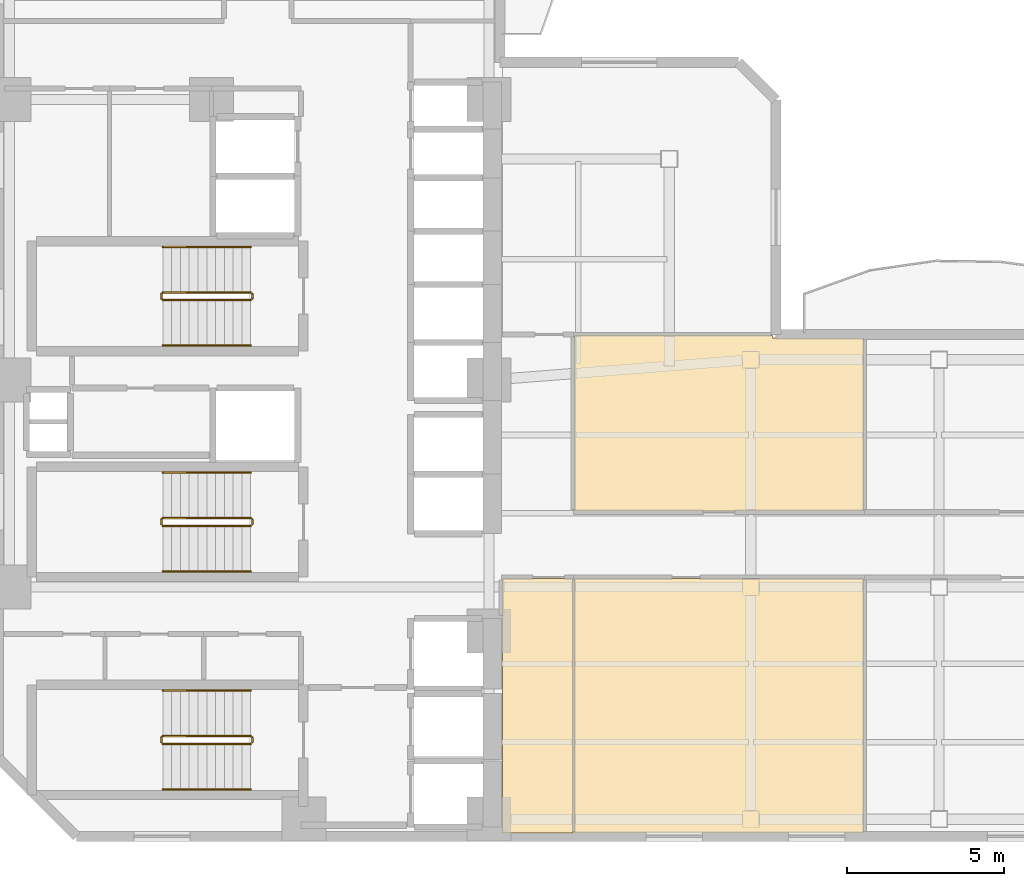
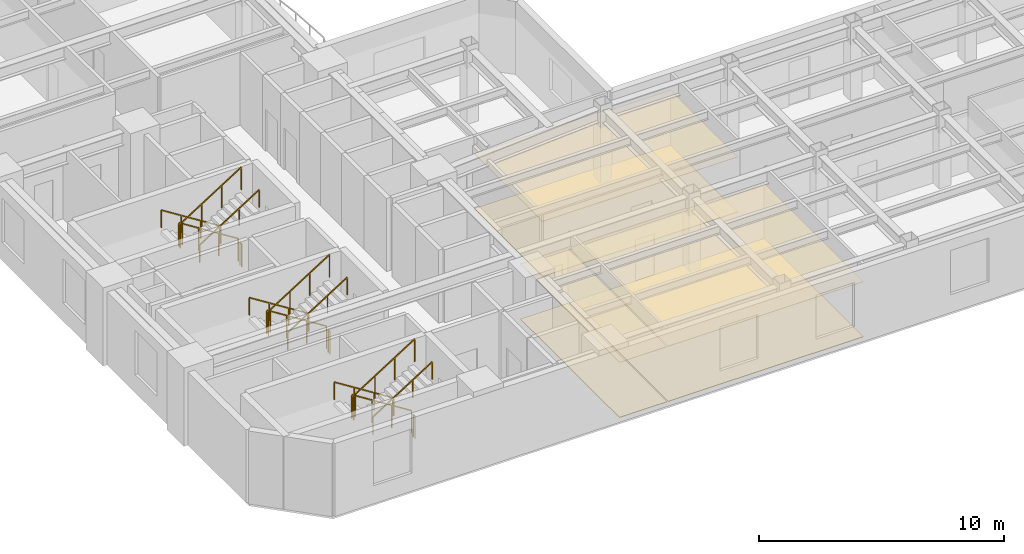
# One storey, part 8 of 10: 18 railings, 6 coverings.
"""IFC4 building model written with IfcOpenShell, lengths in metres."""

from ifc_helpers import new_model, si_unit, direction, frame, origin, origin_2d, place, context, subcontext, project, spatial, polyline, rectangle, outline, extrude, material, layer, layer_set, type_object, element, save


model = new_model("IFC4")

# Units and contexts
model_context = context("Model", 3, precision=1e-05, world=origin(), true_north=direction((0.0, 1.0)))
body_context = subcontext(model_context, "Body", "Model", "MODEL_VIEW")
ifc_project = project(units=[si_unit("LENGTHUNIT", "METRE"), si_unit("AREAUNIT", "SQUARE_METRE"), si_unit("VOLUMEUNIT", "CUBIC_METRE"), si_unit("PLANEANGLEUNIT", "RADIAN"), si_unit("MASSUNIT", "GRAM", prefix="KILO")], contexts=[model_context])

# Site, building, storey
site_placement = place(None, origin())
site = spatial("IfcSite", under=ifc_project, at=site_placement, CompositionType="ELEMENT")
building_placement = place(site_placement, origin())
building = spatial("IfcBuilding", under=site, at=building_placement, Name="Mawjaban Terraces University", CompositionType="ELEMENT")
storey_placement = place(building_placement, frame((0.0, 0.0, 89.5)))
storey = spatial("IfcBuildingStorey", under=building, at=storey_placement, Name="L21", CompositionType="ELEMENT", Elevation=89.5)

# Coverings
ifc_material_1 = material(Name="Acoustic mineral fibre ceiling tile", Category="masonry")
ifc_layer_1 = layer(ifc_material_1, 0.02001953125)
ifc_layer_set_1 = layer_set([ifc_layer_1], Name="Acoustic mineral fibre ceiling tile")
covering_type_1 = type_object("IfcCoveringType", Name="AcousticMineralCeiling_20", PredefinedType="CEILING", material=ifc_layer_set_1)
covering_1_placement = place(storey_placement, frame((0.0, 0.0, 2.75)))
element("IfcCovering", 1, at=covering_1_placement, inside=storey, type_object=covering_type_1, Name="L21 Tutorial Room 1 Acoustic Ceiling", PredefinedType="CEILING", context=body_context, shape_type="SweptSolid", body=[
    extrude(outline(polyline([(38.080078125, 0.114990234375), (40.320068359375, 0.114990234375), (40.320068359375, 8.219970703125), (38.080078125, 8.219970703125), (38.080078125, 0.114990234375)])), origin(), (0.0, 0.0, 1.0), 0.02001953125),
])
covering_2_placement = place(storey_placement, frame((0.0, 0.0, 2.75)))
element("IfcCovering", 2, at=covering_2_placement, inside=storey, type_object=covering_type_1, Name="L21 Conference Room 2 Acoustic Ceiling", PredefinedType="CEILING", context=body_context, shape_type="SweptSolid", body=[
    extrude(outline(polyline([(40.3798828125, 0.114990234375), (49.589111328125, 0.114990234375), (49.589111328125, 8.219970703125), (40.3798828125, 8.219970703125), (40.3798828125, 0.114990234375)])), origin(), (0.0, 0.0, 1.0), 0.02001953125),
])
covering_3_placement = place(storey_placement, frame((0.0, 0.0, 2.75)))
element("IfcCovering", 3, at=covering_3_placement, inside=storey, type_object=covering_type_1, Name="L21 Classroom 3 Acoustic Ceiling", PredefinedType="CEILING", context=body_context, shape_type="SweptSolid", body=[
    extrude(outline(polyline([(49.589111328125, 15.885009765625), (46.68505859375, 15.885009765625), (46.68505859375, 15.969970703125), (40.3798828125, 15.969970703125), (40.3798828125, 10.3798828125), (49.589111328125, 10.3798828125), (49.589111328125, 15.885009765625)])), origin(), (0.0, 0.0, 1.0), 0.02001953125),
])

# Railings
ifc_material_2 = material(Name="Brushed stainless steel 316", Category="steel")
railing_type_1 = type_object("IfcRailingType", Name="StairWallHandrail_900", PredefinedType="HANDRAIL", material=ifc_material_2)
railing_1_placement = place(storey_placement, frame((30.050048828125, 4.64990234375, 0.17724609375)))
element("IfcRailing", 4, at=railing_1_placement, inside=storey, type_object=railing_type_1, Name="L21 ST-1 stair handrail 1", PredefinedType="HANDRAIL", context=body_context, shape_type="SweptSolid", body=[
    extrude(rectangle(XDim=0.048095703125, YDim=0.048095703125, at=origin_2d()), frame((0.0, 0.0, 0.8759765625), z_axis=(-0.844908973607, 0.0, 0.534910110503), x_axis=(0.0, -1.0, 0.0)), (0.0, 0.0, 1.0), 3.31396484375),
    extrude(rectangle(XDim=0.0419921875, YDim=0.0419921875, at=origin_2d()), origin(), (0.0, 0.0, 1.0), 0.851806640625),
    extrude(rectangle(XDim=0.0419921875, YDim=0.0419921875, at=origin_2d()), frame((-0.933349609375, 0.0, 0.5908203125)), (0.0, 0.0, 1.0), 0.851806640625),
    extrude(rectangle(XDim=0.0419921875, YDim=0.0419921875, at=origin_2d()), frame((-1.86669921875, 0.0, 1.181884765625)), (0.0, 0.0, 1.0), 0.851806640625),
    extrude(rectangle(XDim=0.0419921875, YDim=0.0419921875, at=origin_2d()), frame((-2.800048828125, 0.0, 1.772705078125)), (0.0, 0.0, 1.0), 0.851806640625),
])
railing_2_placement = place(storey_placement, frame((27.25, 1.5, 2.127197265625)))
element("IfcRailing", 5, at=railing_2_placement, inside=storey, type_object=railing_type_1, Name="L21 ST-1 stair handrail 2", PredefinedType="HANDRAIL", context=body_context, shape_type="SweptSolid", body=[
    extrude(rectangle(XDim=0.048095703125, YDim=0.048095703125, at=origin_2d()), frame((0.0, 0.0, 0.8759765625), z_axis=(0.844908973607, 0.0, 0.534910110503), x_axis=(0.0, 1.0, 0.0)), (0.0, 0.0, 1.0), 3.31396484375),
    extrude(rectangle(XDim=0.0419921875, YDim=0.0419921875, at=origin_2d()), origin(), (0.0, 0.0, 1.0), 0.851806640625),
    extrude(rectangle(XDim=0.0419921875, YDim=0.0419921875, at=origin_2d()), frame((0.933349609375, 0.0, 0.5908203125)), (0.0, 0.0, 1.0), 0.851806640625),
    extrude(rectangle(XDim=0.0419921875, YDim=0.0419921875, at=origin_2d()), frame((1.86669921875, 0.0, 1.181884765625)), (0.0, 0.0, 1.0), 0.851806640625),
    extrude(rectangle(XDim=0.0419921875, YDim=0.0419921875, at=origin_2d()), frame((2.800048828125, 0.0, 1.772705078125)), (0.0, 0.0, 1.0), 0.851806640625),
])
railing_3_placement = place(storey_placement, frame((30.050048828125, 18.800048828125, 0.17724609375)))
element("IfcRailing", 6, at=railing_3_placement, inside=storey, type_object=railing_type_1, Name="L21 ST-2 stair handrail 1", PredefinedType="HANDRAIL", context=body_context, shape_type="SweptSolid", body=[
    extrude(rectangle(XDim=0.048095703125, YDim=0.048095703125, at=origin_2d()), frame((0.0, 0.0, 0.8759765625), z_axis=(-0.844908973607, 0.0, 0.534910110503), x_axis=(0.0, -1.0, 0.0)), (0.0, 0.0, 1.0), 3.31396484375),
    extrude(rectangle(XDim=0.0419921875, YDim=0.0419921875, at=origin_2d()), origin(), (0.0, 0.0, 1.0), 0.851806640625),
    extrude(rectangle(XDim=0.0419921875, YDim=0.0419921875, at=origin_2d()), frame((-0.933349609375, 0.0, 0.5908203125)), (0.0, 0.0, 1.0), 0.851806640625),
    extrude(rectangle(XDim=0.0419921875, YDim=0.0419921875, at=origin_2d()), frame((-1.86669921875, 0.0, 1.181884765625)), (0.0, 0.0, 1.0), 0.851806640625),
    extrude(rectangle(XDim=0.0419921875, YDim=0.0419921875, at=origin_2d()), frame((-2.800048828125, 0.0, 1.772705078125)), (0.0, 0.0, 1.0), 0.851806640625),
])
railing_4_placement = place(storey_placement, frame((27.25, 15.64990234375, 2.127197265625)))
element("IfcRailing", 7, at=railing_4_placement, inside=storey, type_object=railing_type_1, Name="L21 ST-2 stair handrail 2", PredefinedType="HANDRAIL", context=body_context, shape_type="SweptSolid", body=[
    extrude(rectangle(XDim=0.048095703125, YDim=0.048095703125, at=origin_2d()), frame((0.0, 0.0, 0.8759765625), z_axis=(0.844908973607, 0.0, 0.534910110503), x_axis=(0.0, 1.0, 0.0)), (0.0, 0.0, 1.0), 3.31396484375),
    extrude(rectangle(XDim=0.0419921875, YDim=0.0419921875, at=origin_2d()), origin(), (0.0, 0.0, 1.0), 0.851806640625),
    extrude(rectangle(XDim=0.0419921875, YDim=0.0419921875, at=origin_2d()), frame((0.933349609375, 0.0, 0.5908203125)), (0.0, 0.0, 1.0), 0.851806640625),
    extrude(rectangle(XDim=0.0419921875, YDim=0.0419921875, at=origin_2d()), frame((1.86669921875, 0.0, 1.181884765625)), (0.0, 0.0, 1.0), 0.851806640625),
    extrude(rectangle(XDim=0.0419921875, YDim=0.0419921875, at=origin_2d()), frame((2.800048828125, 0.0, 1.772705078125)), (0.0, 0.0, 1.0), 0.851806640625),
])
railing_5_placement = place(storey_placement, frame((30.050048828125, 11.60009765625, 0.17724609375)))
element("IfcRailing", 8, at=railing_5_placement, inside=storey, type_object=railing_type_1, Name="L21 ST-3 stair handrail 1", PredefinedType="HANDRAIL", context=body_context, shape_type="SweptSolid", body=[
    extrude(rectangle(XDim=0.048095703125, YDim=0.048095703125, at=origin_2d()), frame((0.0, 0.0, 0.8759765625), z_axis=(-0.844908973607, 0.0, 0.534910110503), x_axis=(0.0, -1.0, 0.0)), (0.0, 0.0, 1.0), 3.31396484375),
    extrude(rectangle(XDim=0.0419921875, YDim=0.0419921875, at=origin_2d()), origin(), (0.0, 0.0, 1.0), 0.851806640625),
    extrude(rectangle(XDim=0.0419921875, YDim=0.0419921875, at=origin_2d()), frame((-0.933349609375, 0.0, 0.5908203125)), (0.0, 0.0, 1.0), 0.851806640625),
    extrude(rectangle(XDim=0.0419921875, YDim=0.0419921875, at=origin_2d()), frame((-1.86669921875, 0.0, 1.181884765625)), (0.0, 0.0, 1.0), 0.851806640625),
    extrude(rectangle(XDim=0.0419921875, YDim=0.0419921875, at=origin_2d()), frame((-2.800048828125, 0.0, 1.772705078125)), (0.0, 0.0, 1.0), 0.851806640625),
])
railing_6_placement = place(storey_placement, frame((27.25, 8.449951171875, 2.127197265625)))
element("IfcRailing", 9, at=railing_6_placement, inside=storey, type_object=railing_type_1, Name="L21 ST-3 stair handrail 2", PredefinedType="HANDRAIL", context=body_context, shape_type="SweptSolid", body=[
    extrude(rectangle(XDim=0.048095703125, YDim=0.048095703125, at=origin_2d()), frame((0.0, 0.0, 0.8759765625), z_axis=(0.844908973607, 0.0, 0.534910110503), x_axis=(0.0, 1.0, 0.0)), (0.0, 0.0, 1.0), 3.31396484375),
    extrude(rectangle(XDim=0.0419921875, YDim=0.0419921875, at=origin_2d()), origin(), (0.0, 0.0, 1.0), 0.851806640625),
    extrude(rectangle(XDim=0.0419921875, YDim=0.0419921875, at=origin_2d()), frame((0.933349609375, 0.0, 0.5908203125)), (0.0, 0.0, 1.0), 0.851806640625),
    extrude(rectangle(XDim=0.0419921875, YDim=0.0419921875, at=origin_2d()), frame((1.86669921875, 0.0, 1.181884765625)), (0.0, 0.0, 1.0), 0.851806640625),
    extrude(rectangle(XDim=0.0419921875, YDim=0.0419921875, at=origin_2d()), frame((2.800048828125, 0.0, 1.772705078125)), (0.0, 0.0, 1.0), 0.851806640625),
])
ifc_material_3 = material(Name="Galvanised painted steel S355", Category="steel")
railing_type_2 = type_object("IfcRailingType", Name="StairWellGuard_1150", PredefinedType="BALUSTRADE", material=ifc_material_3)
railing_7_placement = place(storey_placement, frame((30.050048828125, 3.199951171875, 0.17724609375)))
element("IfcRailing", 10, at=railing_7_placement, inside=storey, type_object=railing_type_2, Name="L21 ST-1 stair guard 1", PredefinedType="BALUSTRADE", context=body_context, shape_type="SweptSolid", body=[
    extrude(rectangle(XDim=0.048095703125, YDim=0.048095703125, at=origin_2d()), frame((0.0, 0.0, 1.1259765625), z_axis=(-0.844908973607, 0.0, 0.534910110503), x_axis=(0.0, -1.0, 0.0)), (0.0, 0.0, 1.0), 3.31396484375),
    extrude(rectangle(XDim=0.0419921875, YDim=0.0419921875, at=origin_2d()), origin(), (0.0, 0.0, 1.0), 1.101806640625),
    extrude(rectangle(XDim=0.0419921875, YDim=0.0419921875, at=origin_2d()), frame((-0.933349609375, 0.0, 0.5908203125)), (0.0, 0.0, 1.0), 1.101806640625),
    extrude(rectangle(XDim=0.0419921875, YDim=0.0419921875, at=origin_2d()), frame((-1.86669921875, 0.0, 1.181884765625)), (0.0, 0.0, 1.0), 1.101806640625),
    extrude(rectangle(XDim=0.0419921875, YDim=0.0419921875, at=origin_2d()), frame((-2.800048828125, 0.0, 1.772705078125)), (0.0, 0.0, 1.0), 1.101806640625),
])
railing_8_placement = place(storey_placement, frame((27.199951171875, 3.14990234375, 1.949951171875)))
element("IfcRailing", 11, at=railing_8_placement, inside=storey, type_object=railing_type_2, Name="L21 ST-1 stair guard 2", PredefinedType="BALUSTRADE", context=body_context, shape_type="SweptSolid", body=[
    extrude(rectangle(XDim=0.048095703125, YDim=0.048095703125, at=origin_2d()), frame((0.0, 0.0, 1.1259765625), z_axis=(0.0, -1.0, 0.0), x_axis=(1.0, 0.0, 0.0)), (0.0, 0.0, 1.0), 0.14990234375),
    extrude(rectangle(XDim=0.0419921875, YDim=0.0419921875, at=origin_2d()), origin(), (0.0, 0.0, 1.0), 1.101806640625),
    extrude(rectangle(XDim=0.0419921875, YDim=0.0419921875, at=origin_2d()), frame((0.0, -0.14990234375, 0.0)), (0.0, 0.0, 1.0), 1.101806640625),
])
railing_9_placement = place(storey_placement, frame((27.25, 2.949951171875, 2.127197265625)))
element("IfcRailing", 12, at=railing_9_placement, inside=storey, type_object=railing_type_2, Name="L21 ST-1 stair guard 3", PredefinedType="BALUSTRADE", context=body_context, shape_type="SweptSolid", body=[
    extrude(rectangle(XDim=0.048095703125, YDim=0.048095703125, at=origin_2d()), frame((0.0, 0.0, 1.1259765625), z_axis=(0.844908973607, 0.0, 0.534910110503), x_axis=(0.0, 1.0, 0.0)), (0.0, 0.0, 1.0), 3.31396484375),
    extrude(rectangle(XDim=0.0419921875, YDim=0.0419921875, at=origin_2d()), origin(), (0.0, 0.0, 1.0), 1.101806640625),
    extrude(rectangle(XDim=0.0419921875, YDim=0.0419921875, at=origin_2d()), frame((0.933349609375, 0.0, 0.5908203125)), (0.0, 0.0, 1.0), 1.101806640625),
    extrude(rectangle(XDim=0.0419921875, YDim=0.0419921875, at=origin_2d()), frame((1.86669921875, 0.0, 1.181884765625)), (0.0, 0.0, 1.0), 1.101806640625),
    extrude(rectangle(XDim=0.0419921875, YDim=0.0419921875, at=origin_2d()), frame((2.800048828125, 0.0, 1.772705078125)), (0.0, 0.0, 1.0), 1.101806640625),
])
railing_10_placement = place(storey_placement, frame((30.10009765625, 3.14990234375, 0.0)))
element("IfcRailing", 13, at=railing_10_placement, inside=storey, type_object=railing_type_2, Name="L21 ST-1 stair guard 4", PredefinedType="BALUSTRADE", context=body_context, shape_type="SweptSolid", body=[
    extrude(rectangle(XDim=0.048095703125, YDim=0.048095703125, at=origin_2d()), frame((0.0, 0.0, 1.1259765625), z_axis=(0.0, -1.0, 0.0), x_axis=(1.0, 0.0, 0.0)), (0.0, 0.0, 1.0), 0.14990234375),
    extrude(rectangle(XDim=0.0419921875, YDim=0.0419921875, at=origin_2d()), origin(), (0.0, 0.0, 1.0), 1.101806640625),
    extrude(rectangle(XDim=0.0419921875, YDim=0.0419921875, at=origin_2d()), frame((0.0, -0.14990234375, 0.0)), (0.0, 0.0, 1.0), 1.101806640625),
])
railing_11_placement = place(storey_placement, frame((30.050048828125, 17.35009765625, 0.17724609375)))
element("IfcRailing", 14, at=railing_11_placement, inside=storey, type_object=railing_type_2, Name="L21 ST-2 stair guard 1", PredefinedType="BALUSTRADE", context=body_context, shape_type="SweptSolid", body=[
    extrude(rectangle(XDim=0.048095703125, YDim=0.048095703125, at=origin_2d()), frame((0.0, 0.0, 1.1259765625), z_axis=(-0.844908973607, 0.0, 0.534910110503), x_axis=(0.0, -1.0, 0.0)), (0.0, 0.0, 1.0), 3.31396484375),
    extrude(rectangle(XDim=0.0419921875, YDim=0.0419921875, at=origin_2d()), origin(), (0.0, 0.0, 1.0), 1.101806640625),
    extrude(rectangle(XDim=0.0419921875, YDim=0.0419921875, at=origin_2d()), frame((-0.933349609375, 0.0, 0.5908203125)), (0.0, 0.0, 1.0), 1.101806640625),
    extrude(rectangle(XDim=0.0419921875, YDim=0.0419921875, at=origin_2d()), frame((-1.86669921875, 0.0, 1.181884765625)), (0.0, 0.0, 1.0), 1.101806640625),
    extrude(rectangle(XDim=0.0419921875, YDim=0.0419921875, at=origin_2d()), frame((-2.800048828125, 0.0, 1.772705078125)), (0.0, 0.0, 1.0), 1.101806640625),
])
railing_12_placement = place(storey_placement, frame((27.199951171875, 17.300048828125, 1.949951171875)))
element("IfcRailing", 15, at=railing_12_placement, inside=storey, type_object=railing_type_2, Name="L21 ST-2 stair guard 2", PredefinedType="BALUSTRADE", context=body_context, shape_type="SweptSolid", body=[
    extrude(rectangle(XDim=0.048095703125, YDim=0.048095703125, at=origin_2d()), frame((0.0, 0.0, 1.1259765625), z_axis=(0.0, -1.0, 0.0), x_axis=(1.0, 0.0, 0.0)), (0.0, 0.0, 1.0), 0.150146484375),
    extrude(rectangle(XDim=0.0419921875, YDim=0.0419921875, at=origin_2d()), origin(), (0.0, 0.0, 1.0), 1.101806640625),
    extrude(rectangle(XDim=0.0419921875, YDim=0.0419921875, at=origin_2d()), frame((0.0, -0.150146484375, 0.0)), (0.0, 0.0, 1.0), 1.101806640625),
])
railing_13_placement = place(storey_placement, frame((27.25, 17.10009765625, 2.127197265625)))
element("IfcRailing", 16, at=railing_13_placement, inside=storey, type_object=railing_type_2, Name="L21 ST-2 stair guard 3", PredefinedType="BALUSTRADE", context=body_context, shape_type="SweptSolid", body=[
    extrude(rectangle(XDim=0.048095703125, YDim=0.048095703125, at=origin_2d()), frame((0.0, 0.0, 1.1259765625), z_axis=(0.844908973607, 0.0, 0.534910110503), x_axis=(0.0, 1.0, 0.0)), (0.0, 0.0, 1.0), 3.31396484375),
    extrude(rectangle(XDim=0.0419921875, YDim=0.0419921875, at=origin_2d()), origin(), (0.0, 0.0, 1.0), 1.101806640625),
    extrude(rectangle(XDim=0.0419921875, YDim=0.0419921875, at=origin_2d()), frame((0.933349609375, 0.0, 0.5908203125)), (0.0, 0.0, 1.0), 1.101806640625),
    extrude(rectangle(XDim=0.0419921875, YDim=0.0419921875, at=origin_2d()), frame((1.86669921875, 0.0, 1.181884765625)), (0.0, 0.0, 1.0), 1.101806640625),
    extrude(rectangle(XDim=0.0419921875, YDim=0.0419921875, at=origin_2d()), frame((2.800048828125, 0.0, 1.772705078125)), (0.0, 0.0, 1.0), 1.101806640625),
])
railing_14_placement = place(storey_placement, frame((30.10009765625, 17.300048828125, 0.0)))
element("IfcRailing", 17, at=railing_14_placement, inside=storey, type_object=railing_type_2, Name="L21 ST-2 stair guard 4", PredefinedType="BALUSTRADE", context=body_context, shape_type="SweptSolid", body=[
    extrude(rectangle(XDim=0.048095703125, YDim=0.048095703125, at=origin_2d()), frame((0.0, 0.0, 1.1259765625), z_axis=(0.0, -1.0, 0.0), x_axis=(1.0, 0.0, 0.0)), (0.0, 0.0, 1.0), 0.150146484375),
    extrude(rectangle(XDim=0.0419921875, YDim=0.0419921875, at=origin_2d()), origin(), (0.0, 0.0, 1.0), 1.101806640625),
    extrude(rectangle(XDim=0.0419921875, YDim=0.0419921875, at=origin_2d()), frame((0.0, -0.150146484375, 0.0)), (0.0, 0.0, 1.0), 1.101806640625),
])
railing_15_placement = place(storey_placement, frame((30.050048828125, 10.14990234375, 0.17724609375)))
element("IfcRailing", 18, at=railing_15_placement, inside=storey, type_object=railing_type_2, Name="L21 ST-3 stair guard 1", PredefinedType="BALUSTRADE", context=body_context, shape_type="SweptSolid", body=[
    extrude(rectangle(XDim=0.048095703125, YDim=0.048095703125, at=origin_2d()), frame((0.0, 0.0, 1.1259765625), z_axis=(-0.844908973607, 0.0, 0.534910110503), x_axis=(0.0, -1.0, 0.0)), (0.0, 0.0, 1.0), 3.31396484375),
    extrude(rectangle(XDim=0.0419921875, YDim=0.0419921875, at=origin_2d()), origin(), (0.0, 0.0, 1.0), 1.101806640625),
    extrude(rectangle(XDim=0.0419921875, YDim=0.0419921875, at=origin_2d()), frame((-0.933349609375, 0.0, 0.5908203125)), (0.0, 0.0, 1.0), 1.101806640625),
    extrude(rectangle(XDim=0.0419921875, YDim=0.0419921875, at=origin_2d()), frame((-1.86669921875, 0.0, 1.181884765625)), (0.0, 0.0, 1.0), 1.101806640625),
    extrude(rectangle(XDim=0.0419921875, YDim=0.0419921875, at=origin_2d()), frame((-2.800048828125, 0.0, 1.772705078125)), (0.0, 0.0, 1.0), 1.101806640625),
])
railing_16_placement = place(storey_placement, frame((27.199951171875, 10.10009765625, 1.949951171875)))
element("IfcRailing", 19, at=railing_16_placement, inside=storey, type_object=railing_type_2, Name="L21 ST-3 stair guard 2", PredefinedType="BALUSTRADE", context=body_context, shape_type="SweptSolid", body=[
    extrude(rectangle(XDim=0.048095703125, YDim=0.048095703125, at=origin_2d()), frame((0.0, 0.0, 1.1259765625), z_axis=(0.0, -1.0, 0.0), x_axis=(1.0, 0.0, 0.0)), (0.0, 0.0, 1.0), 0.150146484375),
    extrude(rectangle(XDim=0.0419921875, YDim=0.0419921875, at=origin_2d()), origin(), (0.0, 0.0, 1.0), 1.101806640625),
    extrude(rectangle(XDim=0.0419921875, YDim=0.0419921875, at=origin_2d()), frame((0.0, -0.150146484375, 0.0)), (0.0, 0.0, 1.0), 1.101806640625),
])
railing_17_placement = place(storey_placement, frame((27.25, 9.89990234375, 2.127197265625)))
element("IfcRailing", 20, at=railing_17_placement, inside=storey, type_object=railing_type_2, Name="L21 ST-3 stair guard 3", PredefinedType="BALUSTRADE", context=body_context, shape_type="SweptSolid", body=[
    extrude(rectangle(XDim=0.048095703125, YDim=0.048095703125, at=origin_2d()), frame((0.0, 0.0, 1.1259765625), z_axis=(0.844908973607, 0.0, 0.534910110503), x_axis=(0.0, 1.0, 0.0)), (0.0, 0.0, 1.0), 3.31396484375),
    extrude(rectangle(XDim=0.0419921875, YDim=0.0419921875, at=origin_2d()), origin(), (0.0, 0.0, 1.0), 1.101806640625),
    extrude(rectangle(XDim=0.0419921875, YDim=0.0419921875, at=origin_2d()), frame((0.933349609375, 0.0, 0.5908203125)), (0.0, 0.0, 1.0), 1.101806640625),
    extrude(rectangle(XDim=0.0419921875, YDim=0.0419921875, at=origin_2d()), frame((1.86669921875, 0.0, 1.181884765625)), (0.0, 0.0, 1.0), 1.101806640625),
    extrude(rectangle(XDim=0.0419921875, YDim=0.0419921875, at=origin_2d()), frame((2.800048828125, 0.0, 1.772705078125)), (0.0, 0.0, 1.0), 1.101806640625),
])
railing_18_placement = place(storey_placement, frame((30.10009765625, 10.10009765625, 0.0)))
element("IfcRailing", 21, at=railing_18_placement, inside=storey, type_object=railing_type_2, Name="L21 ST-3 stair guard 4", PredefinedType="BALUSTRADE", context=body_context, shape_type="SweptSolid", body=[
    extrude(rectangle(XDim=0.048095703125, YDim=0.048095703125, at=origin_2d()), frame((0.0, 0.0, 1.1259765625), z_axis=(0.0, -1.0, 0.0), x_axis=(1.0, 0.0, 0.0)), (0.0, 0.0, 1.0), 0.150146484375),
    extrude(rectangle(XDim=0.0419921875, YDim=0.0419921875, at=origin_2d()), origin(), (0.0, 0.0, 1.0), 1.101806640625),
    extrude(rectangle(XDim=0.0419921875, YDim=0.0419921875, at=origin_2d()), frame((0.0, -0.150146484375, 0.0)), (0.0, 0.0, 1.0), 1.101806640625),
])

# Coverings
ifc_material_4 = material(Name="Polished Hijazi granite terrazzo flooring", Category="masonry")
ifc_layer_2 = layer(ifc_material_4, 0.02490234375)
ifc_layer_set_2 = layer_set([ifc_layer_2], Name="Polished Hijazi granite terrazzo flooring")
covering_type_2 = type_object("IfcCoveringType", Name="TerrazzoConcourseFlooring_25", PredefinedType="FLOORING", material=ifc_layer_set_2)
covering_4_placement = place(storey_placement, origin())
element("IfcCovering", 22, at=covering_4_placement, inside=storey, type_object=covering_type_2, Name="L21 Tutorial Room 1 Terrazzo Flooring", PredefinedType="FLOORING", context=body_context, shape_type="SweptSolid", body=[
    extrude(outline(polyline([(38.080078125, 0.114990234375), (40.320068359375, 0.114990234375), (40.320068359375, 8.219970703125), (38.080078125, 8.219970703125), (38.080078125, 0.114990234375)])), origin(), (0.0, 0.0, 1.0), 0.02490234375),
])
covering_5_placement = place(storey_placement, origin())
element("IfcCovering", 23, at=covering_5_placement, inside=storey, type_object=covering_type_2, Name="L21 Conference Room 2 Terrazzo Flooring", PredefinedType="FLOORING", context=body_context, shape_type="SweptSolid", body=[
    extrude(outline(polyline([(40.3798828125, 0.114990234375), (49.589111328125, 0.114990234375), (49.589111328125, 8.219970703125), (40.3798828125, 8.219970703125), (40.3798828125, 0.114990234375)])), origin(), (0.0, 0.0, 1.0), 0.02490234375),
])
covering_6_placement = place(storey_placement, origin())
element("IfcCovering", 24, at=covering_6_placement, inside=storey, type_object=covering_type_2, Name="L21 Classroom 3 Terrazzo Flooring", PredefinedType="FLOORING", context=body_context, shape_type="SweptSolid", body=[
    extrude(outline(polyline([(49.589111328125, 15.885009765625), (46.68505859375, 15.885009765625), (46.68505859375, 15.969970703125), (40.3798828125, 15.969970703125), (40.3798828125, 10.3798828125), (49.589111328125, 10.3798828125), (49.589111328125, 15.885009765625)])), origin(), (0.0, 0.0, 1.0), 0.02490234375),
])

save(model, "model.ifc")
